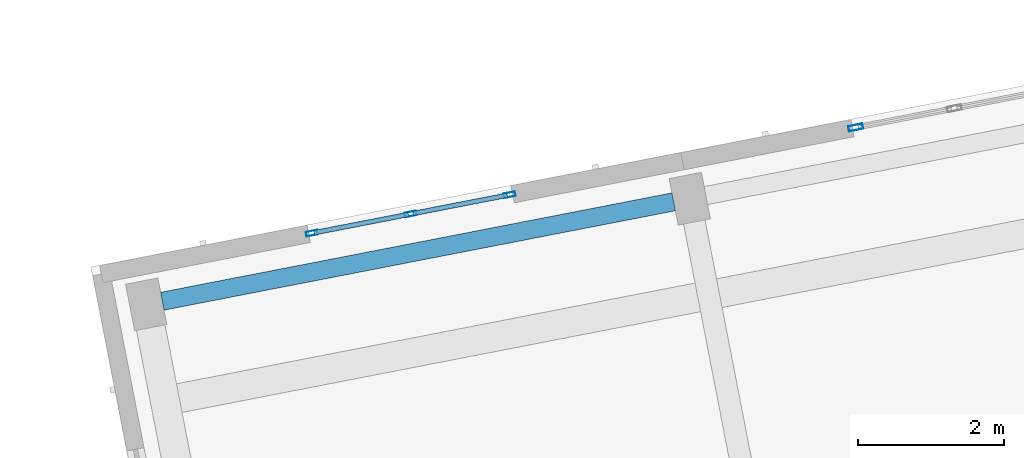
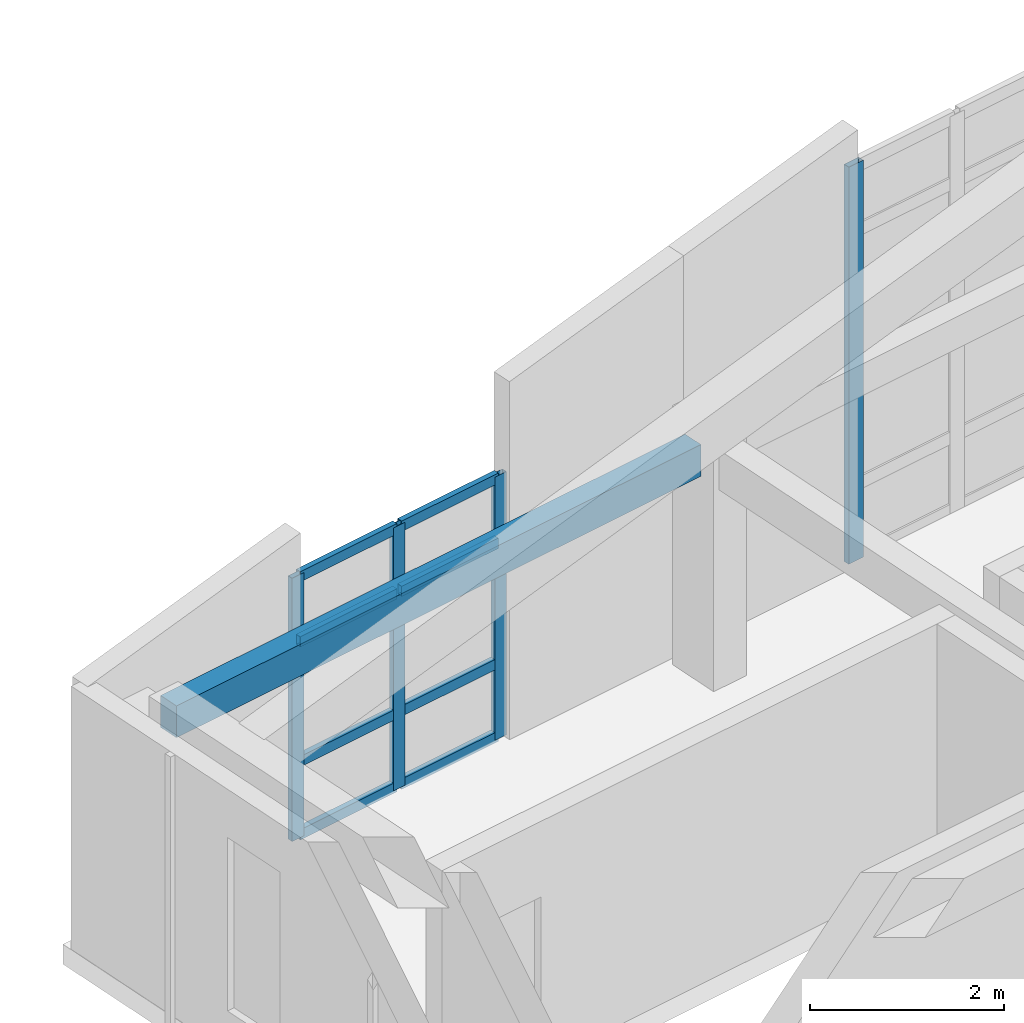
# One storey, part 10 of 56: 12 members, 1 beam, 2 elements without a shape of their own.
"""IFC4 building model written with IfcOpenShell, lengths in metres."""

from ifc_helpers import new_model, si_unit, direction, frame, origin, origin_2d, place, context, subcontext, project, spatial, rectangle, hollow_rectangle, extrude, material, material_profile, profile_set, type_object, element, aggregate, save


model = new_model("IFC4")

# Units and contexts
model_context = context("Model", 3, precision=1e-05, world=origin(), true_north=direction((0.0, 1.0)))
body_context = subcontext(model_context, "Body", "Model", "MODEL_VIEW")
ifc_project = project(units=[si_unit("LENGTHUNIT", "METRE"), si_unit("AREAUNIT", "SQUARE_METRE"), si_unit("VOLUMEUNIT", "CUBIC_METRE"), si_unit("PLANEANGLEUNIT", "RADIAN"), si_unit("MASSUNIT", "GRAM", prefix="KILO")], contexts=[model_context])

# Site, building, storey
site_placement = place(None, origin())
site = spatial("IfcSite", under=ifc_project, at=site_placement, CompositionType="ELEMENT")
building_placement = place(site_placement, origin())
building = spatial("IfcBuilding", under=site, at=building_placement, Name="Kestramere Prow Commons", CompositionType="ELEMENT")
storey_placement = place(building_placement, frame((0.0, 0.0, 27.89990234375)))
storey = spatial("IfcBuildingStorey", under=building, at=storey_placement, Name="L08", CompositionType="ELEMENT", Elevation=27.89990234375)

# Curtain wall, members
ifc_material_1 = material(Name="Anodised Aluminium and Low-E Glass", Category="aluminium")
curtain_wall_type_1 = type_object("IfcCurtainWallType", Name="CW-09 Glazed Curtain Wall 2830x3300", PredefinedType="USERDEFINED", material=ifc_material_1)
curtain_wall_1_placement = place(storey_placement, origin())
curtain_wall_1 = element("IfcCurtainWall", 1, at=curtain_wall_1_placement, inside=storey, type_object=curtain_wall_type_1, Name="Block D L08 Stairwell Vertical Glazing 4", ObjectType="GLAZED CURTAIN WALL", PredefinedType="USERDEFINED")
ifc_material_2 = material(Name="Anodised Aluminium 6063-T6", Category="aluminium")
ifc_material_profile_1 = material_profile(ifc_material_2, hollow_rectangle(XDim=0.06494140625, YDim=0.159912109375, WallThickness=0.00390625, at=origin_2d()), Name="ALU-MUL 65x160")
ifc_profile_set_1 = profile_set([ifc_material_profile_1], Name="Anodised Aluminium 6063-T6")
member_type_1 = type_object("IfcMemberType", Name="CW-MUL-65x160", PredefinedType="MULLION", material=ifc_profile_set_1)
member_1_placement = place(storey_placement, frame((139.314208984375, 58.56689453125, 0.0), z_axis=(0.0, 0.0, 1.0), x_axis=(-0.190808835118, 0.981627214599, 0.0)))
member_1 = element("IfcMember", 2, at=member_1_placement, type_object=member_type_1, Name="CW-09 mullion 1", PredefinedType="MULLION", context=body_context, shape_type="SweptSolid", body=[
    extrude(hollow_rectangle(XDim=0.06494140625, YDim=0.159912109375, WallThickness=0.00390625, at=origin_2d()), origin(), (0.0, 0.0, 1.0), 3.30517578125),
])
member_2_placement = place(storey_placement, frame((140.671142578125, 58.830810546875, 0.0), z_axis=(0.0, 0.0, 1.0), x_axis=(-0.190808835118, 0.981627214599, 0.0)))
member_2 = element("IfcMember", 3, at=member_2_placement, type_object=member_type_1, Name="CW-09 mullion 2", PredefinedType="MULLION", context=body_context, shape_type="SweptSolid", body=[
    extrude(hollow_rectangle(XDim=0.06494140625, YDim=0.159912109375, WallThickness=0.00390625, at=origin_2d()), origin(), (0.0, 0.0, 1.0), 3.30517578125),
])
member_3_placement = place(storey_placement, frame((142.0283203125, 59.094482421875, 0.0), z_axis=(0.0, 0.0, 1.0), x_axis=(-0.190808835118, 0.981627214599, 0.0)))
member_3 = element("IfcMember", 4, at=member_3_placement, type_object=member_type_1, Name="CW-09 mullion 3", PredefinedType="MULLION", context=body_context, shape_type="SweptSolid", body=[
    extrude(hollow_rectangle(XDim=0.06494140625, YDim=0.159912109375, WallThickness=0.00390625, at=origin_2d()), origin(), (0.0, 0.0, 1.0), 3.30517578125),
])

# Curtain wall, member
curtain_wall_type_2 = type_object("IfcCurtainWallType", Name="CW-10 Glazed Curtain Wall 2830x4990", PredefinedType="USERDEFINED", material=ifc_material_1)
curtain_wall_2_placement = place(storey_placement, origin())
curtain_wall_2 = element("IfcCurtainWall", 5, at=curtain_wall_2_placement, inside=storey, type_object=curtain_wall_type_2, Name="Block D L08 Stairwell Vertical Glazing 5", ObjectType="GLAZED CURTAIN WALL", PredefinedType="USERDEFINED")
ifc_material_profile_2 = material_profile(ifc_material_2, hollow_rectangle(XDim=0.074951171875, YDim=0.199951171875, WallThickness=0.0048828125, at=origin_2d()), Name="ALU-MUL 75x200")
ifc_profile_set_2 = profile_set([ifc_material_profile_2], Name="Anodised Aluminium 6063-T6")
member_type_2 = type_object("IfcMemberType", Name="CW-MUL-75x200", PredefinedType="MULLION", material=ifc_profile_set_2)
member_4_placement = place(storey_placement, frame((146.779541015625, 60.01806640625, 0.0), z_axis=(0.0, 0.0, 1.0), x_axis=(-0.190808835118, 0.981627214599, 0.0)))
member_4 = element("IfcMember", 6, at=member_4_placement, type_object=member_type_2, Name="CW-10 mullion 1", PredefinedType="MULLION", context=body_context, shape_type="SweptSolid", body=[
    extrude(hollow_rectangle(XDim=0.074951171875, YDim=0.199951171875, WallThickness=0.0048828125, at=origin_2d()), origin(), (0.0, 0.0, 1.0), 4.98681640625),
])
aggregate(curtain_wall_2, [member_4])

# Member
ifc_material_profile_3 = material_profile(ifc_material_2, hollow_rectangle(XDim=0.06494140625, YDim=0.1298828125, WallThickness=0.00390625, at=origin_2d()), Name="ALU-TRN 65x130")
ifc_profile_set_3 = profile_set([ifc_material_profile_3], Name="Anodised Aluminium 6063-T6")
member_type_3 = type_object("IfcMemberType", Name="CW-TRN-65x130", PredefinedType="USERDEFINED", material=ifc_profile_set_3)
member_5_placement = place(storey_placement, frame((139.345947265625, 58.5732421875, 0.03271484375), z_axis=(0.981655869186, 0.190661360776, 0.0), x_axis=(-0.190661360776, 0.981655869186, 0.0)))
member_5 = element("IfcMember", 7, at=member_5_placement, type_object=member_type_3, Name="CW-09 transom 1.1", ObjectType="TRANSOM", PredefinedType="USERDEFINED", context=body_context, shape_type="SweptSolid", body=[
    extrude(hollow_rectangle(XDim=0.06494140625, YDim=0.1298828125, WallThickness=0.00390625, at=origin_2d()), origin(), (0.0, 0.0, 1.0), 1.317626953125),
])

member_6_placement = place(storey_placement, frame((139.345947265625, 58.5732421875, 0.9501953125), z_axis=(0.981655869186, 0.190661360776, 0.0), x_axis=(-0.190661360776, 0.981655869186, 0.0)))
member_6 = element("IfcMember", 8, at=member_6_placement, type_object=member_type_3, Name="CW-09 transom 1.2", ObjectType="TRANSOM", PredefinedType="USERDEFINED", context=body_context, shape_type="SweptSolid", body=[
    extrude(hollow_rectangle(XDim=0.06494140625, YDim=0.1298828125, WallThickness=0.00390625, at=origin_2d()), origin(), (0.0, 0.0, 1.0), 1.317626953125),
])

member_7_placement = place(storey_placement, frame((139.345947265625, 58.5732421875, 2.455078125), z_axis=(0.981655869186, 0.190661360776, 0.0), x_axis=(-0.190661360776, 0.981655869186, 0.0)))
member_7 = element("IfcMember", 9, at=member_7_placement, type_object=member_type_3, Name="CW-09 transom 1.3", ObjectType="TRANSOM", PredefinedType="USERDEFINED", context=body_context, shape_type="SweptSolid", body=[
    extrude(hollow_rectangle(XDim=0.06494140625, YDim=0.1298828125, WallThickness=0.00390625, at=origin_2d()), origin(), (0.0, 0.0, 1.0), 1.317626953125),
])

member_8_placement = place(storey_placement, frame((139.345947265625, 58.5732421875, 3.272705078125), z_axis=(0.981655869186, 0.190661360776, 0.0), x_axis=(-0.190661360776, 0.981655869186, 0.0)))
member_8 = element("IfcMember", 10, at=member_8_placement, type_object=member_type_3, Name="CW-09 transom 1.4", ObjectType="TRANSOM", PredefinedType="USERDEFINED", context=body_context, shape_type="SweptSolid", body=[
    extrude(hollow_rectangle(XDim=0.06494140625, YDim=0.1298828125, WallThickness=0.00390625, at=origin_2d()), origin(), (0.0, 0.0, 1.0), 1.317626953125),
])

member_9_placement = place(storey_placement, frame((140.703125, 58.8369140625, 0.03271484375), z_axis=(0.981614425191, 0.190874619208, 0.0), x_axis=(-0.190874619208, 0.981614425191, 0.0)))
member_9 = element("IfcMember", 11, at=member_9_placement, type_object=member_type_3, Name="CW-09 transom 2.1", ObjectType="TRANSOM", PredefinedType="USERDEFINED", context=body_context, shape_type="SweptSolid", body=[
    extrude(hollow_rectangle(XDim=0.06494140625, YDim=0.1298828125, WallThickness=0.00390625, at=origin_2d()), origin(), (0.0, 0.0, 1.0), 1.3173828125),
])

member_10_placement = place(storey_placement, frame((140.703125, 58.8369140625, 0.9501953125), z_axis=(0.981614425191, 0.190874619208, 0.0), x_axis=(-0.190874619208, 0.981614425191, 0.0)))
member_10 = element("IfcMember", 12, at=member_10_placement, type_object=member_type_3, Name="CW-09 transom 2.2", ObjectType="TRANSOM", PredefinedType="USERDEFINED", context=body_context, shape_type="SweptSolid", body=[
    extrude(hollow_rectangle(XDim=0.06494140625, YDim=0.1298828125, WallThickness=0.00390625, at=origin_2d()), origin(), (0.0, 0.0, 1.0), 1.3173828125),
])

member_11_placement = place(storey_placement, frame((140.703125, 58.8369140625, 2.455078125), z_axis=(0.981614425191, 0.190874619208, 0.0), x_axis=(-0.190874619208, 0.981614425191, 0.0)))
member_11 = element("IfcMember", 13, at=member_11_placement, type_object=member_type_3, Name="CW-09 transom 2.3", ObjectType="TRANSOM", PredefinedType="USERDEFINED", context=body_context, shape_type="SweptSolid", body=[
    extrude(hollow_rectangle(XDim=0.06494140625, YDim=0.1298828125, WallThickness=0.00390625, at=origin_2d()), origin(), (0.0, 0.0, 1.0), 1.3173828125),
])

member_12_placement = place(storey_placement, frame((140.703125, 58.8369140625, 3.272705078125), z_axis=(0.981614425191, 0.190874619208, 0.0), x_axis=(-0.190874619208, 0.981614425191, 0.0)))
member_12 = element("IfcMember", 14, at=member_12_placement, type_object=member_type_3, Name="CW-09 transom 2.4", ObjectType="TRANSOM", PredefinedType="USERDEFINED", context=body_context, shape_type="SweptSolid", body=[
    extrude(hollow_rectangle(XDim=0.06494140625, YDim=0.1298828125, WallThickness=0.00390625, at=origin_2d()), origin(), (0.0, 0.0, 1.0), 1.3173828125),
])

aggregate(curtain_wall_1, [member_1, member_2, member_3, member_5, member_6, member_7, member_8, member_9, member_10, member_11, member_12])

# Beam
ifc_material_3 = material(Name="Precast concrete C40/50", Category="concrete")
ifc_material_profile_4 = material_profile(ifc_material_3, rectangle(XDim=0.25, YDim=0.39990234375, at=origin_2d()), Name="PC-SP 250x400")
ifc_profile_set_4 = profile_set([ifc_material_profile_4], Name="Precast concrete C40/50")
beam_type = type_object("IfcBeamType", Name="SP-EXT-01 PC-SP 250x400", PredefinedType="SPANDREL", material=ifc_profile_set_4)
beam_placement = place(storey_placement, frame((137.26220703125, 57.63330078125, 2.800048828125), z_axis=(0.981627472063, 0.190807510571, 0.0), x_axis=(-0.190807510571, 0.981627472063, 0.0)))
element("IfcBeam", 15, at=beam_placement, inside=storey, type_object=beam_type, Name="Block D L08 Longitudinal Beam 4-4", PredefinedType="SPANDREL", context=body_context, shape_type="SweptSolid", body=[
    extrude(rectangle(XDim=0.25, YDim=0.39990234375, at=origin_2d()), origin(), (0.0, 0.0, 1.0), 7.14990234375),
])

save(model, "model.ifc")
